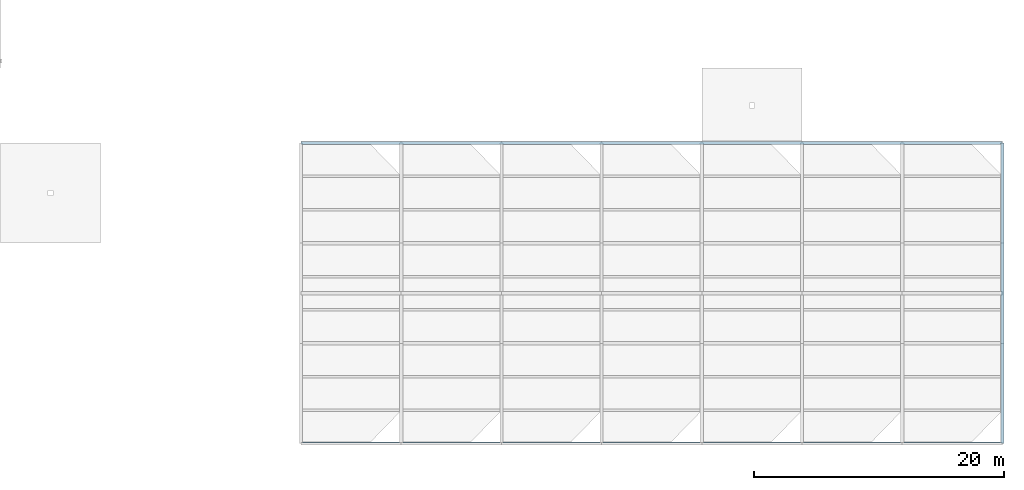
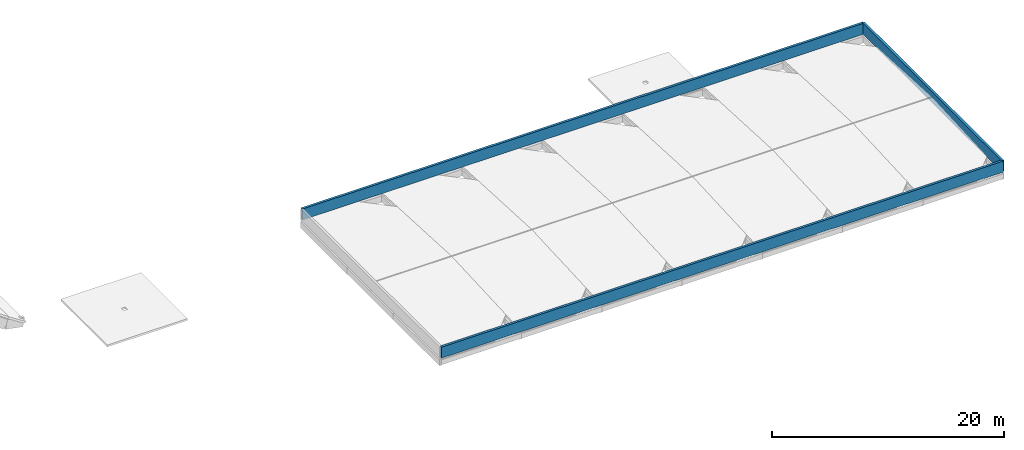
# One storey, part 7 of 7: 3 walls.
"""IFC4 building model written with IfcOpenShell, lengths in metres."""

from ifc_helpers import new_model, si_unit, direction, frame, frame_2d, origin, place, context, subcontext, project, spatial, rectangle, extrude, material, layer, layer_set, type_object, element, save


model = new_model("IFC4")

# Units and contexts
model_context = context("Model", 3, precision=1e-05, world=origin(), true_north=direction((0.0, 1.0)))
body_context = subcontext(model_context, "Body", "Model", "MODEL_VIEW")
ifc_project = project(units=[si_unit("LENGTHUNIT", "METRE"), si_unit("AREAUNIT", "SQUARE_METRE"), si_unit("VOLUMEUNIT", "CUBIC_METRE"), si_unit("PLANEANGLEUNIT", "RADIAN"), si_unit("MASSUNIT", "GRAM", prefix="KILO")], contexts=[model_context])

# Site, building, storey
site_placement = place(None, origin())
site = spatial("IfcSite", under=ifc_project, at=site_placement, CompositionType="ELEMENT")
building_placement = place(site_placement, origin())
building = spatial("IfcBuilding", under=site, at=building_placement, Name="Solvane Community Centre", CompositionType="ELEMENT")
storey_placement = place(building_placement, frame((0.0, 0.0, 22.199951171875)))
storey = spatial("IfcBuildingStorey", under=building, at=storey_placement, Name="RF", CompositionType="ELEMENT", Elevation=22.199951171875)

# Walls
ifc_material = material(Name="Precast concrete C35/45", Category="concrete")
ifc_layer_1 = layer(ifc_material, 0.239990234375)
ifc_layer_set_1 = layer_set([ifc_layer_1], Name="Precast concrete C35/45")
wall_type_1 = type_object("IfcWallType", Name="Stepped Art Deco Roof Parapet 240mm [240x12dm]", PredefinedType="PARAPET", material=ifc_layer_set_1)
wall_placement = place(storey_placement, frame((140.0, 6.0, 0.0), z_axis=(0.0, 0.0, 1.0), x_axis=(0.0, 1.0, 0.0)))
element("IfcWall", 1, at=wall_placement, inside=storey, type_object=wall_type_1, Name="Exterior Wall WL-EXT-RF-0175", PredefinedType="PARAPET", context=body_context, shape_type="SweptSolid", body=[
    extrude(rectangle(XDim=24.0, YDim=0.239990234375, at=frame_2d((12.0, 0.0))), origin(), (0.0, 0.0, 1.0), 1.150146484375),
])
ifc_layer_2 = layer(ifc_material, 0.239990234375)
ifc_layer_set_2 = layer_set([ifc_layer_2], Name="Precast concrete C35/45")
wall_type_2 = type_object("IfcWallType", Name="Stepped Art Deco Roof Parapet 240mm [560x12dm]", PredefinedType="PARAPET", material=ifc_layer_set_2)
for number, where, z_axis, x_axis, name in (
    (2, (84.0, 6.0, 0.0), (0.0, 0.0, 1.0), (1.0, 0.0, 0.0), "Exterior Wall WL-EXT-RF-0174"),
    (3, (140.0, 30.0, 0.0), (0.0, 0.0, 1.0), (-1.0, 0.0, 0.0), "Exterior Wall WL-EXT-RF-0176"),
):
    element("IfcWall", number, at=place(storey_placement, frame(where, z_axis=z_axis, x_axis=x_axis)), inside=storey, type_object=wall_type_2, Name=name, PredefinedType="PARAPET", context=body_context, shape_type="SweptSolid", body=[
        extrude(rectangle(XDim=56.0, YDim=0.239990234375, at=frame_2d((28.0, 0.0))), origin(), (0.0, 0.0, 1.0), 1.150146484375),
    ])

save(model, "model.ifc")
